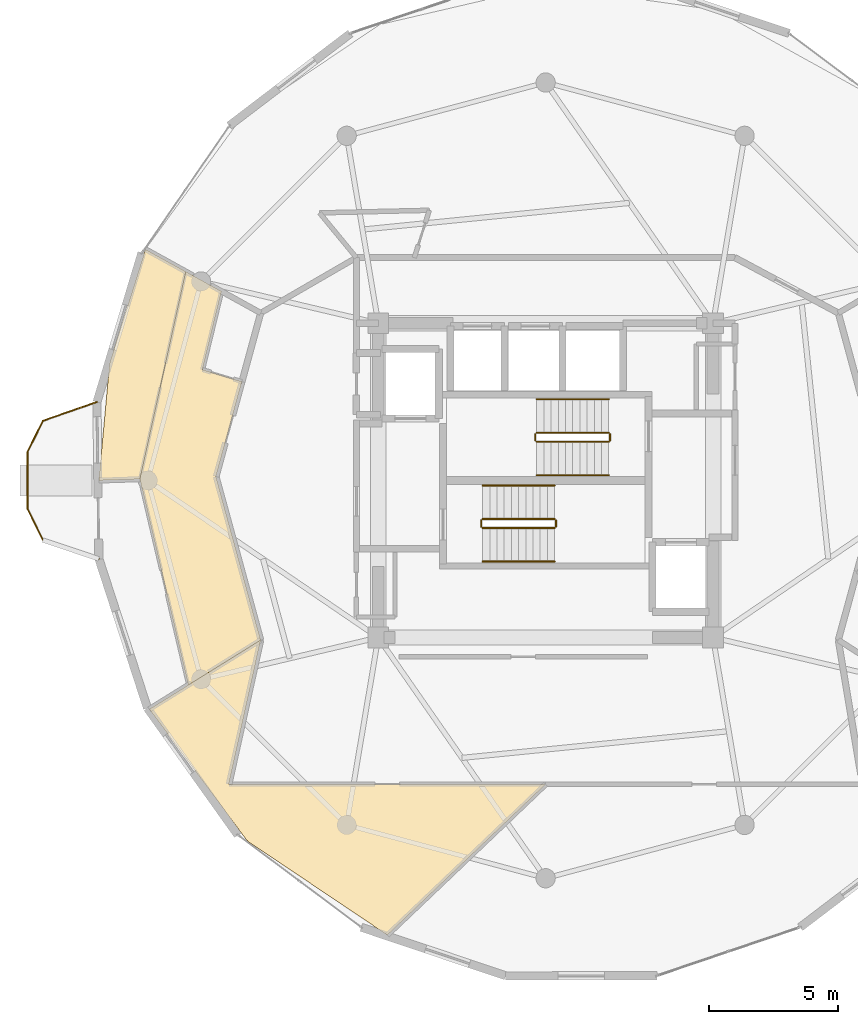
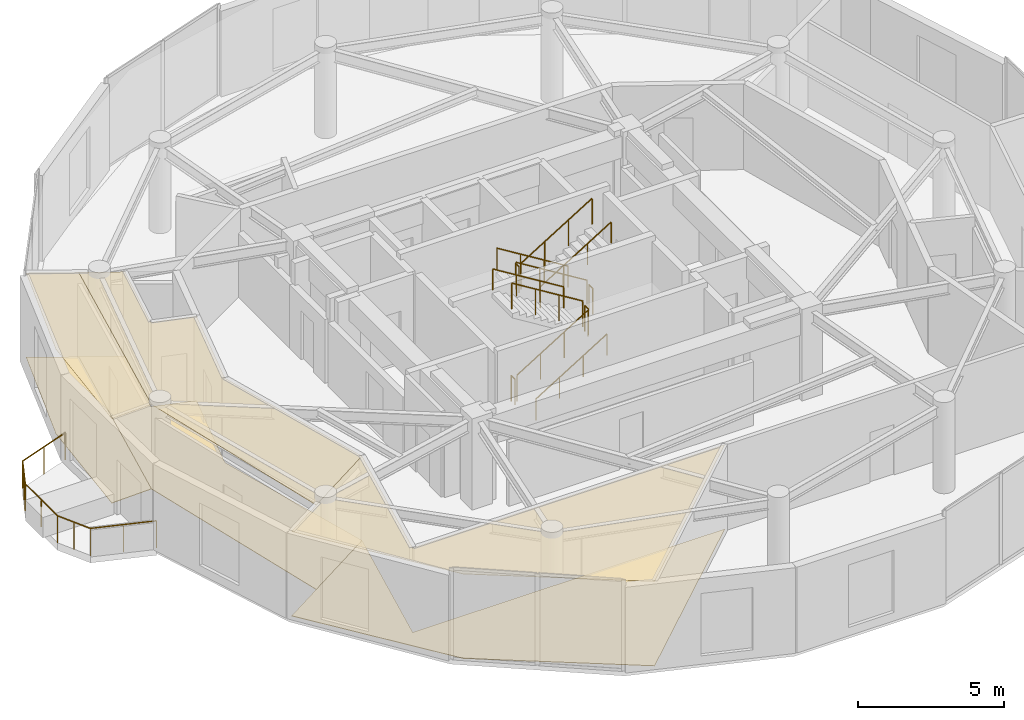
# One storey, part 17 of 18: 13 railings, 6 coverings.
"""IFC4 building model written with IfcOpenShell, lengths in metres."""

from ifc_helpers import new_model, si_unit, direction, frame, origin, origin_2d, place, context, subcontext, project, spatial, polyline, circle, outline, extrude, material, layer, layer_set, type_object, element, save


model = new_model("IFC4")

# Units and contexts
model_context = context("Model", 3, precision=1e-05, world=origin(), true_north=direction((0.0, 1.0)))
body_context = subcontext(model_context, "Body", "Model", "MODEL_VIEW")
ifc_project = project(units=[si_unit("LENGTHUNIT", "METRE"), si_unit("AREAUNIT", "SQUARE_METRE"), si_unit("VOLUMEUNIT", "CUBIC_METRE"), si_unit("PLANEANGLEUNIT", "RADIAN"), si_unit("MASSUNIT", "GRAM", prefix="KILO")], contexts=[model_context])

# Site, building, storey
site_placement = place(None, origin())
site = spatial("IfcSite", under=ifc_project, at=site_placement, CompositionType="ELEMENT")
building_placement = place(site_placement, origin())
building = spatial("IfcBuilding", under=site, at=building_placement, Name="Solvirekh Grand Hotel", CompositionType="ELEMENT")
storey_placement = place(building_placement, frame((0.0, 0.0, 250.60009765625)))
storey = spatial("IfcBuildingStorey", under=building, at=storey_placement, Name="L65", CompositionType="ELEMENT", Elevation=250.60009765625)

# Coverings
ifc_material_1 = material(Name="Acoustic Mineral Ceiling Tile")
ifc_layer_1 = layer(ifc_material_1, 0.02490234375)
ifc_layer_set_1 = layer_set([ifc_layer_1], Name="Acoustic Mineral Ceiling Tile")
covering_type_1 = type_object("IfcCoveringType", Name="Cov_Ceiling_Acoustic", PredefinedType="CEILING", material=ifc_layer_set_1)
covering_1_placement = place(storey_placement, frame((0.0, 0.0, 3.52001953125)))
element("IfcCovering", 1, at=covering_1_placement, inside=storey, type_object=covering_type_1, Name="L65 Executive Suite 6702 Living Room acoustic ceiling", PredefinedType="CEILING", context=body_context, shape_type="SweptSolid", body=[
    extrude(outline(polyline([(-13.325927734375, 4.299072265625), (-12.5869140625, 7.341064453125), (-13.97509765625, 8.10693359375), (-15.756103515625, 0.052001953125), (-13.8759765625, -7.945068359375), (-11.06494140625, -6.199951171875), (-12.800048828125, 0.14990234375), (-11.7939453125, 3.8330078125), (-13.325927734375, 4.299072265625)])), origin(), (0.0, 0.0, 1.0), 0.017822265625),
])
covering_2_placement = place(storey_placement, frame((0.0, 0.0, 3.52001953125)))
element("IfcCovering", 2, at=covering_2_placement, inside=storey, type_object=covering_type_1, Name="L65 Executive Suite 6702 Master Bedroom acoustic ceiling", PredefinedType="CEILING", context=body_context, shape_type="SweptSolid", body=[
    extrude(outline(polyline([(-15.5419921875, 8.972900390625), (-16.93408203125, 4.5380859375), (-17.347900390625, 0.0), (-15.756103515625, 0.052001953125), (-13.97509765625, 8.10693359375), (-15.5419921875, 8.972900390625)])), origin(), (0.0, 0.0, 1.0), 0.017822265625),
])
covering_3_placement = place(storey_placement, frame((0.0, 0.0, 3.52001953125)))
element("IfcCovering", 3, at=covering_3_placement, inside=storey, type_object=covering_type_1, Name="L65 L65 Cloud View Resident Lounge acoustic ceiling", PredefinedType="CEILING", context=body_context, shape_type="SweptSolid", body=[
    extrude(outline(polyline([(-15.388916015625, -8.885009765625), (-11.583984375, -14.001953125), (-6.14794921875, -17.655029296875), (0.0, -11.800048828125), (-12.300048828125, -11.800048828125), (-11.06494140625, -6.199951171875), (-15.388916015625, -8.885009765625)])), origin(), (0.0, 0.0, 1.0), 0.017822265625),
])
ifc_material_2 = material(Name="Porcelain Stoneware Flooring", Category="masonry")
ifc_layer_2 = layer(ifc_material_2, 0.030029296875)
ifc_layer_set_2 = layer_set([ifc_layer_2], Name="Porcelain Stoneware Flooring")
covering_type_2 = type_object("IfcCoveringType", Name="Cov_Floor_Stone", PredefinedType="FLOORING", material=ifc_layer_set_2)
covering_4_placement = place(storey_placement, origin())
element("IfcCovering", 4, at=covering_4_placement, inside=storey, type_object=covering_type_2, Name="L65 Executive Suite 6702 Living Room polished granite flooring", PredefinedType="FLOORING", context=body_context, shape_type="SweptSolid", body=[
    extrude(outline(polyline([(-13.325927734375, 4.299072265625), (-12.5869140625, 7.341064453125), (-13.97509765625, 8.10693359375), (-15.756103515625, 0.052001953125), (-13.8759765625, -7.945068359375), (-11.06494140625, -6.199951171875), (-12.800048828125, 0.14990234375), (-11.7939453125, 3.8330078125), (-13.325927734375, 4.299072265625)])), origin(), (0.0, 0.0, 1.0), 0.02001953125),
])
covering_5_placement = place(storey_placement, origin())
element("IfcCovering", 5, at=covering_5_placement, inside=storey, type_object=covering_type_2, Name="L65 Executive Suite 6702 Master Bedroom polished granite flooring", PredefinedType="FLOORING", context=body_context, shape_type="SweptSolid", body=[
    extrude(outline(polyline([(-15.5419921875, 8.972900390625), (-16.93408203125, 4.5380859375), (-17.347900390625, 0.0), (-15.756103515625, 0.052001953125), (-13.97509765625, 8.10693359375), (-15.5419921875, 8.972900390625)])), origin(), (0.0, 0.0, 1.0), 0.02001953125),
])
covering_6_placement = place(storey_placement, origin())
element("IfcCovering", 6, at=covering_6_placement, inside=storey, type_object=covering_type_2, Name="L65 L65 Cloud View Resident Lounge polished granite flooring", PredefinedType="FLOORING", context=body_context, shape_type="SweptSolid", body=[
    extrude(outline(polyline([(-15.388916015625, -8.885009765625), (-11.583984375, -14.001953125), (-6.14794921875, -17.655029296875), (0.0, -11.800048828125), (-12.300048828125, -11.800048828125), (-11.06494140625, -6.199951171875), (-15.388916015625, -8.885009765625)])), origin(), (0.0, 0.0, 1.0), 0.02001953125),
])

# Railings
ifc_material_3 = material(Name="Anodized Bronze Aluminium 6063-T6", Category="aluminium")
railing_type_1 = type_object("IfcRailingType", Name="Guard_ExtGlass_1150", PredefinedType="BALUSTRADE", material=ifc_material_3)
railing_1_placement = place(storey_placement, frame((-17.425048828125, 3.044921875, 0.0)))
element("IfcRailing", 7, at=railing_1_placement, inside=storey, type_object=railing_type_1, Name="L65 horn perimeter glass balustrade", PredefinedType="BALUSTRADE", context=body_context, shape_type="SweptSolid", body=[
    extrude(circle(Radius=0.02392578125, at=origin_2d()), frame((0.0, 0.0, 1.1259765625), z_axis=(-0.944416777215, -0.328750590743, 0.0), x_axis=(0.328750590743, -0.944416777215, 0.0)), (0.0, 0.0, 1.0), 2.223388671875),
    extrude(circle(Radius=0.02392578125, at=origin_2d()), frame((-2.099853515625, -0.73095703125, 1.1259765625), z_axis=(-0.441670674358, -0.897177248604, 0.0), x_axis=(0.897177248604, -0.441670674358, 0.0)), (0.0, 0.0, 1.0), 1.358642578125),
    extrude(circle(Radius=0.02392578125, at=origin_2d()), frame((-2.699951171875, -1.949951171875, 1.1259765625), z_axis=(0.0, -1.0, 0.0), x_axis=(1.0, 0.0, 0.0)), (0.0, 0.0, 1.0), 2.194091796875),
    extrude(circle(Radius=0.02392578125, at=origin_2d()), frame((-2.699951171875, -4.14404296875, 1.1259765625), z_axis=(0.441670674358, -0.897177248604, 0.0), x_axis=(0.897177248604, 0.441670674358, 0.0)), (0.0, 0.0, 1.0), 1.358642578125),
    extrude(circle(Radius=0.02392578125, at=origin_2d()), frame((-2.099853515625, -5.363037109375, 1.1259765625), z_axis=(0.947892929032, -0.318589069322, 0.0), x_axis=(0.318589069322, 0.947892929032, 0.0)), (0.0, 0.0, 1.0), 2.29443359375),
    extrude(circle(Radius=0.02099609375, at=origin_2d()), origin(), (0.0, 0.0, 1.0), 1.101806640625),
    extrude(circle(Radius=0.02099609375, at=origin_2d()), frame((-1.0498046875, -0.365478515625, 0.0)), (0.0, 0.0, 1.0), 1.101806640625),
    extrude(circle(Radius=0.02099609375, at=origin_2d()), frame((-2.099853515625, -0.73095703125, 0.0)), (0.0, 0.0, 1.0), 1.101806640625),
    extrude(circle(Radius=0.02099609375, at=origin_2d()), frame((-2.39990234375, -1.34033203125, 0.0)), (0.0, 0.0, 1.0), 1.101806640625),
    extrude(circle(Radius=0.02099609375, at=origin_2d()), frame((-2.699951171875, -1.949951171875, 0.0)), (0.0, 0.0, 1.0), 1.101806640625),
    extrude(circle(Radius=0.02099609375, at=origin_2d()), frame((-2.699951171875, -3.046875, 0.0)), (0.0, 0.0, 1.0), 1.101806640625),
    extrude(circle(Radius=0.02099609375, at=origin_2d()), frame((-2.699951171875, -4.14404296875, 0.0)), (0.0, 0.0, 1.0), 1.101806640625),
    extrude(circle(Radius=0.02099609375, at=origin_2d()), frame((-2.39990234375, -4.75341796875, 0.0)), (0.0, 0.0, 1.0), 1.101806640625),
    extrude(circle(Radius=0.02099609375, at=origin_2d()), frame((-2.099853515625, -5.363037109375, 0.0)), (0.0, 0.0, 1.0), 1.101806640625),
    extrude(circle(Radius=0.02099609375, at=origin_2d()), frame((-1.012451171875, -5.728515625, 0.0)), (0.0, 0.0, 1.0), 1.101806640625),
    extrude(circle(Radius=0.02099609375, at=origin_2d()), frame((0.074951171875, -6.093994140625, 0.0)), (0.0, 0.0, 1.0), 1.101806640625),
])
ifc_material_4 = material(Name="Steel S355", Category="steel")
railing_type_2 = type_object("IfcRailingType", Name="Guard_Stair_1100", PredefinedType="GUARDRAIL", material=ifc_material_4)
railing_2_placement = place(storey_placement, frame((-2.449951171875, -1.85009765625, 0.172607421875)))
element("IfcRailing", 8, at=railing_2_placement, inside=storey, type_object=railing_type_2, Name="L65 ST-1 stair guard 1", PredefinedType="GUARDRAIL", context=body_context, shape_type="SweptSolid", body=[
    extrude(circle(Radius=0.02392578125, at=origin_2d()), frame((0.0, 0.0, 1.076171875), z_axis=(0.851089632645, 0.0, 0.525020415988), x_axis=(0.0, 1.0, 0.0)), (0.0, 0.0, 1.0), 3.2900390625),
    extrude(circle(Radius=0.02099609375, at=origin_2d()), origin(), (0.0, 0.0, 1.0), 1.052001953125),
    extrude(circle(Radius=0.02099609375, at=origin_2d()), frame((0.933349609375, 0.0, 0.57568359375)), (0.0, 0.0, 1.0), 1.052001953125),
    extrude(circle(Radius=0.02099609375, at=origin_2d()), frame((1.86669921875, 0.0, 1.151611328125)), (0.0, 0.0, 1.0), 1.052001953125),
    extrude(circle(Radius=0.02099609375, at=origin_2d()), frame((2.800048828125, 0.0, 1.727294921875)), (0.0, 0.0, 1.0), 1.052001953125),
])
railing_3_placement = place(storey_placement, frame((0.39990234375, -1.800048828125, 1.89990234375)))
element("IfcRailing", 9, at=railing_3_placement, inside=storey, type_object=railing_type_2, Name="L65 ST-1 stair guard 2", PredefinedType="GUARDRAIL", context=body_context, shape_type="SweptSolid", body=[
    extrude(circle(Radius=0.02392578125, at=origin_2d()), frame((0.0, 0.0, 1.076171875), z_axis=(0.0, 1.0, 0.0), x_axis=(-1.0, 0.0, 0.0)), (0.0, 0.0, 1.0), 0.25),
    extrude(circle(Radius=0.02099609375, at=origin_2d()), origin(), (0.0, 0.0, 1.0), 1.052001953125),
    extrude(circle(Radius=0.02099609375, at=origin_2d()), frame((0.0, 0.25, 0.0)), (0.0, 0.0, 1.0), 1.052001953125),
])
railing_4_placement = place(storey_placement, frame((0.35009765625, -1.5, 2.072509765625)))
element("IfcRailing", 10, at=railing_4_placement, inside=storey, type_object=railing_type_2, Name="L65 ST-1 stair guard 3", PredefinedType="GUARDRAIL", context=body_context, shape_type="SweptSolid", body=[
    extrude(circle(Radius=0.02392578125, at=origin_2d()), frame((0.0, 0.0, 1.076171875), z_axis=(-0.851089632645, 0.0, 0.525020415988), x_axis=(0.0, -1.0, 0.0)), (0.0, 0.0, 1.0), 3.2900390625),
    extrude(circle(Radius=0.02099609375, at=origin_2d()), origin(), (0.0, 0.0, 1.0), 1.052001953125),
    extrude(circle(Radius=0.02099609375, at=origin_2d()), frame((-0.933349609375, 0.0, 0.57568359375)), (0.0, 0.0, 1.0), 1.052001953125),
    extrude(circle(Radius=0.02099609375, at=origin_2d()), frame((-1.86669921875, 0.0, 1.151611328125)), (0.0, 0.0, 1.0), 1.052001953125),
    extrude(circle(Radius=0.02099609375, at=origin_2d()), frame((-2.800048828125, 0.0, 1.727294921875)), (0.0, 0.0, 1.0), 1.052001953125),
])
railing_5_placement = place(storey_placement, frame((-2.5, -1.800048828125, 0.0)))
element("IfcRailing", 11, at=railing_5_placement, inside=storey, type_object=railing_type_2, Name="L65 ST-1 stair guard 4", PredefinedType="GUARDRAIL", context=body_context, shape_type="SweptSolid", body=[
    extrude(circle(Radius=0.02392578125, at=origin_2d()), frame((0.0, 0.0, 1.076171875), z_axis=(0.0, 1.0, 0.0), x_axis=(-1.0, 0.0, 0.0)), (0.0, 0.0, 1.0), 0.25),
    extrude(circle(Radius=0.02099609375, at=origin_2d()), origin(), (0.0, 0.0, 1.0), 1.052001953125),
    extrude(circle(Radius=0.02099609375, at=origin_2d()), frame((0.0, 0.25, 0.0)), (0.0, 0.0, 1.0), 1.052001953125),
])
railing_6_placement = place(storey_placement, frame((2.449951171875, 1.85009765625, 0.172607421875)))
element("IfcRailing", 12, at=railing_6_placement, inside=storey, type_object=railing_type_2, Name="L65 ST-2 stair guard 1", PredefinedType="GUARDRAIL", context=body_context, shape_type="SweptSolid", body=[
    extrude(circle(Radius=0.02392578125, at=origin_2d()), frame((0.0, 0.0, 1.076171875), z_axis=(-0.851089632645, 0.0, 0.525020415988), x_axis=(0.0, -1.0, 0.0)), (0.0, 0.0, 1.0), 3.2900390625),
    extrude(circle(Radius=0.02099609375, at=origin_2d()), origin(), (0.0, 0.0, 1.0), 1.052001953125),
    extrude(circle(Radius=0.02099609375, at=origin_2d()), frame((-0.933349609375, 0.0, 0.57568359375)), (0.0, 0.0, 1.0), 1.052001953125),
    extrude(circle(Radius=0.02099609375, at=origin_2d()), frame((-1.86669921875, 0.0, 1.151611328125)), (0.0, 0.0, 1.0), 1.052001953125),
    extrude(circle(Radius=0.02099609375, at=origin_2d()), frame((-2.800048828125, 0.0, 1.727294921875)), (0.0, 0.0, 1.0), 1.052001953125),
])
railing_7_placement = place(storey_placement, frame((-0.39990234375, 1.800048828125, 1.89990234375)))
element("IfcRailing", 13, at=railing_7_placement, inside=storey, type_object=railing_type_2, Name="L65 ST-2 stair guard 2", PredefinedType="GUARDRAIL", context=body_context, shape_type="SweptSolid", body=[
    extrude(circle(Radius=0.02392578125, at=origin_2d()), frame((0.0, 0.0, 1.076171875), z_axis=(0.0, -1.0, 0.0), x_axis=(1.0, 0.0, 0.0)), (0.0, 0.0, 1.0), 0.25),
    extrude(circle(Radius=0.02099609375, at=origin_2d()), origin(), (0.0, 0.0, 1.0), 1.052001953125),
    extrude(circle(Radius=0.02099609375, at=origin_2d()), frame((0.0, -0.25, 0.0)), (0.0, 0.0, 1.0), 1.052001953125),
])
railing_8_placement = place(storey_placement, frame((-0.35009765625, 1.5, 2.072509765625)))
element("IfcRailing", 14, at=railing_8_placement, inside=storey, type_object=railing_type_2, Name="L65 ST-2 stair guard 3", PredefinedType="GUARDRAIL", context=body_context, shape_type="SweptSolid", body=[
    extrude(circle(Radius=0.02392578125, at=origin_2d()), frame((0.0, 0.0, 1.076171875), z_axis=(0.851089632645, 0.0, 0.525020415988), x_axis=(0.0, 1.0, 0.0)), (0.0, 0.0, 1.0), 3.2900390625),
    extrude(circle(Radius=0.02099609375, at=origin_2d()), origin(), (0.0, 0.0, 1.0), 1.052001953125),
    extrude(circle(Radius=0.02099609375, at=origin_2d()), frame((0.933349609375, 0.0, 0.57568359375)), (0.0, 0.0, 1.0), 1.052001953125),
    extrude(circle(Radius=0.02099609375, at=origin_2d()), frame((1.86669921875, 0.0, 1.151611328125)), (0.0, 0.0, 1.0), 1.052001953125),
    extrude(circle(Radius=0.02099609375, at=origin_2d()), frame((2.800048828125, 0.0, 1.727294921875)), (0.0, 0.0, 1.0), 1.052001953125),
])
railing_9_placement = place(storey_placement, frame((2.5, 1.800048828125, 0.0)))
element("IfcRailing", 15, at=railing_9_placement, inside=storey, type_object=railing_type_2, Name="L65 ST-2 stair guard 4", PredefinedType="GUARDRAIL", context=body_context, shape_type="SweptSolid", body=[
    extrude(circle(Radius=0.02392578125, at=origin_2d()), frame((0.0, 0.0, 1.076171875), z_axis=(0.0, -1.0, 0.0), x_axis=(1.0, 0.0, 0.0)), (0.0, 0.0, 1.0), 0.25),
    extrude(circle(Radius=0.02099609375, at=origin_2d()), origin(), (0.0, 0.0, 1.0), 1.052001953125),
    extrude(circle(Radius=0.02099609375, at=origin_2d()), frame((0.0, -0.25, 0.0)), (0.0, 0.0, 1.0), 1.052001953125),
])
railing_type_3 = type_object("IfcRailingType", Name="Handrail_Wall_900", PredefinedType="HANDRAIL", material=ifc_material_3)
railing_10_placement = place(storey_placement, frame((-2.449951171875, -3.14990234375, 0.172607421875)))
element("IfcRailing", 16, at=railing_10_placement, inside=storey, type_object=railing_type_3, Name="L65 ST-1 stair handrail 1", PredefinedType="HANDRAIL", context=body_context, shape_type="SweptSolid", body=[
    extrude(circle(Radius=0.02392578125, at=origin_2d()), frame((0.0, 0.0, 0.8759765625), z_axis=(0.851089632645, 0.0, 0.525020415988), x_axis=(0.0, 1.0, 0.0)), (0.0, 0.0, 1.0), 3.2900390625),
    extrude(circle(Radius=0.02099609375, at=origin_2d()), origin(), (0.0, 0.0, 1.0), 0.851806640625),
    extrude(circle(Radius=0.02099609375, at=origin_2d()), frame((0.933349609375, 0.0, 0.57568359375)), (0.0, 0.0, 1.0), 0.851806640625),
    extrude(circle(Radius=0.02099609375, at=origin_2d()), frame((1.86669921875, 0.0, 1.151611328125)), (0.0, 0.0, 1.0), 0.851806640625),
    extrude(circle(Radius=0.02099609375, at=origin_2d()), frame((2.800048828125, 0.0, 1.727294921875)), (0.0, 0.0, 1.0), 0.851806640625),
])
for number, where, name in (
    (17, (0.35009765625, -0.199951171875, 2.072509765625), "L65 ST-1 stair handrail 2"),
    (18, (2.449951171875, 3.14990234375, 0.172607421875), "L65 ST-2 stair handrail 1"),
):
    element("IfcRailing", number, at=place(storey_placement, frame(where)), inside=storey, type_object=railing_type_3, Name=name, PredefinedType="HANDRAIL", context=body_context, shape_type="SweptSolid", body=[
        extrude(circle(Radius=0.02392578125, at=origin_2d()), frame((0.0, 0.0, 0.8759765625), z_axis=(-0.851089632645, 0.0, 0.525020415988), x_axis=(0.0, -1.0, 0.0)), (0.0, 0.0, 1.0), 3.2900390625),
        extrude(circle(Radius=0.02099609375, at=origin_2d()), origin(), (0.0, 0.0, 1.0), 0.851806640625),
        extrude(circle(Radius=0.02099609375, at=origin_2d()), frame((-0.933349609375, 0.0, 0.57568359375)), (0.0, 0.0, 1.0), 0.851806640625),
        extrude(circle(Radius=0.02099609375, at=origin_2d()), frame((-1.86669921875, 0.0, 1.151611328125)), (0.0, 0.0, 1.0), 0.851806640625),
        extrude(circle(Radius=0.02099609375, at=origin_2d()), frame((-2.800048828125, 0.0, 1.727294921875)), (0.0, 0.0, 1.0), 0.851806640625),
    ])
railing_11_placement = place(storey_placement, frame((-0.35009765625, 0.199951171875, 2.072509765625)))
element("IfcRailing", 19, at=railing_11_placement, inside=storey, type_object=railing_type_3, Name="L65 ST-2 stair handrail 2", PredefinedType="HANDRAIL", context=body_context, shape_type="SweptSolid", body=[
    extrude(circle(Radius=0.02392578125, at=origin_2d()), frame((0.0, 0.0, 0.8759765625), z_axis=(0.851089632645, 0.0, 0.525020415988), x_axis=(0.0, 1.0, 0.0)), (0.0, 0.0, 1.0), 3.2900390625),
    extrude(circle(Radius=0.02099609375, at=origin_2d()), origin(), (0.0, 0.0, 1.0), 0.851806640625),
    extrude(circle(Radius=0.02099609375, at=origin_2d()), frame((0.933349609375, 0.0, 0.57568359375)), (0.0, 0.0, 1.0), 0.851806640625),
    extrude(circle(Radius=0.02099609375, at=origin_2d()), frame((1.86669921875, 0.0, 1.151611328125)), (0.0, 0.0, 1.0), 0.851806640625),
    extrude(circle(Radius=0.02099609375, at=origin_2d()), frame((2.800048828125, 0.0, 1.727294921875)), (0.0, 0.0, 1.0), 0.851806640625),
])

save(model, "model.ifc")
